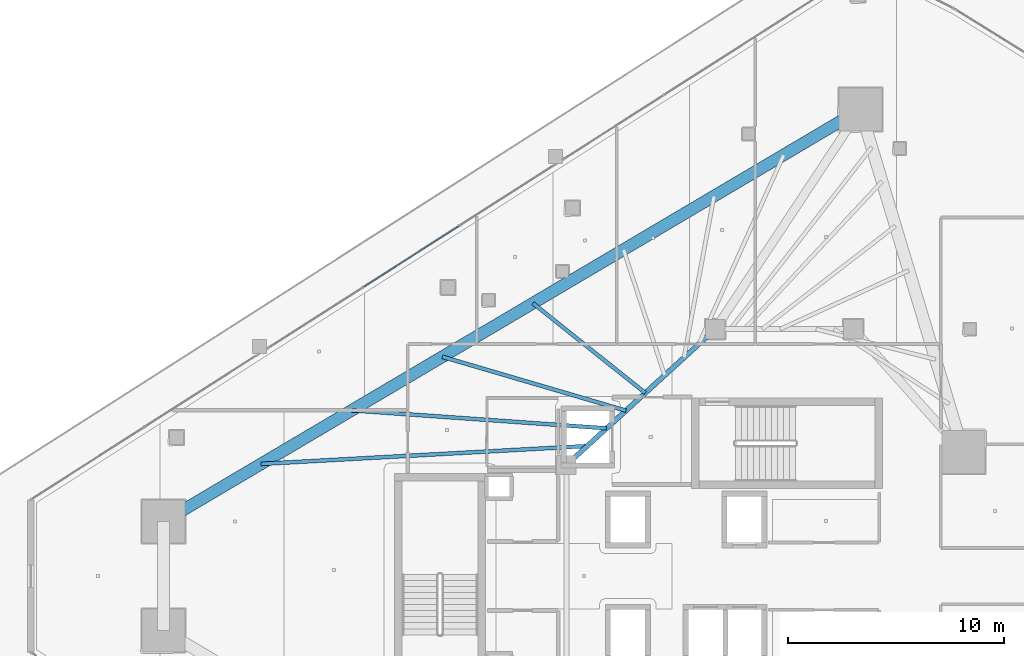
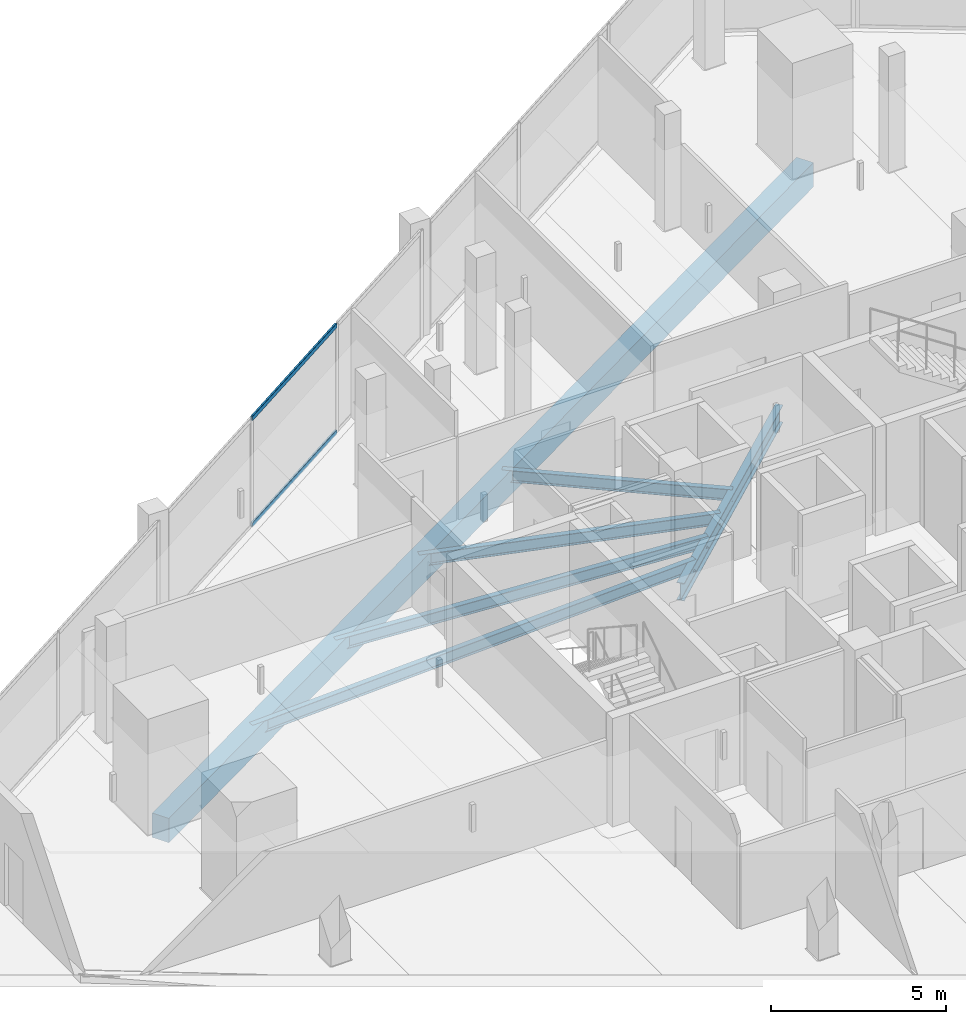
# One storey, part 16 of 37: 6 beams, 2 members, 1 element without a shape of its own.
"""IFC4 building model written with IfcOpenShell, lengths in metres."""

from ifc_helpers import new_model, si_unit, direction, frame, origin, origin_2d, place, context, subcontext, project, spatial, rectangle, hollow_rectangle, i_section, extrude, material, layer, layer_set, material_profile, profile_set, type_object, element, aggregate, save


model = new_model("IFC4")

# Units and contexts
model_context = context("Model", 3, precision=1e-05, world=origin(), true_north=direction((0.0, 1.0)))
body_context = subcontext(model_context, "Body", "Model", "MODEL_VIEW")
ifc_project = project(units=[si_unit("LENGTHUNIT", "METRE"), si_unit("AREAUNIT", "SQUARE_METRE"), si_unit("VOLUMEUNIT", "CUBIC_METRE"), si_unit("PLANEANGLEUNIT", "RADIAN"), si_unit("MASSUNIT", "GRAM", prefix="KILO")], contexts=[model_context])

# Site, building, storey
site_placement = place(None, origin())
site = spatial("IfcSite", under=ifc_project, at=site_placement, CompositionType="ELEMENT")
building_placement = place(site_placement, origin())
building = spatial("IfcBuilding", under=site, at=building_placement, Name="Qorvath Tower", CompositionType="ELEMENT")
storey_placement = place(building_placement, frame((0.0, 0.0, 188.85009765625)))
storey = spatial("IfcBuildingStorey", under=building, at=storey_placement, Name="L43", CompositionType="ELEMENT", Elevation=188.85009765625)

# Beams
ifc_material_1 = material(Name="Steel ASTM A992 Grade 50", Category="steel")
ifc_material_profile_1 = material_profile(ifc_material_1, i_section(OverallWidth=0.22998046875, OverallDepth=0.616943359375, WebThickness=0.01318359375, FlangeThickness=0.022216796875, FilletRadius=0.014892578125, at=origin_2d()), Name="W24x94")
ifc_profile_set_1 = profile_set([ifc_material_profile_1], Name="Steel ASTM A992 Grade 50")
beam_type_1 = type_object("IfcBeamType", Name="BM-FG6", PredefinedType="BEAM", material=ifc_profile_set_1)
beam_1_placement = place(storey_placement, frame((-30.5, 5.14990234375, -0.57861328125), z_axis=(0.73847813985, 0.6742774184, 0.0), x_axis=(-0.6742774184, 0.73847813985, 0.0)))
element("IfcBeam", 1, at=beam_1_placement, inside=storey, type_object=beam_type_1, Name="Core Ring Girder CC5-CC1 L43", PredefinedType="BEAM", context=body_context, shape_type="SweptSolid", body=[
    extrude(i_section(OverallWidth=0.22998046875, OverallDepth=0.616943359375, WebThickness=0.01318359375, FlangeThickness=0.022216796875, FilletRadius=0.014892578125, at=origin_2d()), origin(), (0.0, 0.0, 1.0), 9.343505859375),
])
ifc_material_2 = material(Name="Steel ASTM A992 Grade 50", Category="steel")
ifc_material_profile_2 = material_profile(ifc_material_2, i_section(OverallWidth=0.177978515625, OverallDepth=0.406005859375, WebThickness=0.0078125, FlangeThickness=0.0126953125, FilletRadius=0.010986328125, at=origin_2d()), Name="W16x40")
ifc_profile_set_2 = profile_set([ifc_material_profile_2], Name="Steel ASTM A992 Grade 50")
beam_type_2 = type_object("IfcBeamType", Name="BM-FJ3", PredefinedType="JOIST", material=ifc_profile_set_2)
beam_2_placement = place(storey_placement, frame((-29.533935546875, 6.031982421875, -0.472900390625), z_axis=(-0.998494745044, -0.054847462293, 0.0), x_axis=(0.054847462293, -0.998494745044, 0.0)))
element("IfcBeam", 2, at=beam_2_placement, inside=storey, type_object=beam_type_2, Name="Composite Floor Joist NW1 L43", PredefinedType="JOIST", context=body_context, shape_type="SweptSolid", body=[
    extrude(i_section(OverallWidth=0.177978515625, OverallDepth=0.406005859375, WebThickness=0.0078125, FlangeThickness=0.0126953125, FilletRadius=0.010986328125, at=origin_2d()), origin(), (0.0, 0.0, 1.0), 15.138671875),
])
beam_3_placement = place(storey_placement, frame((-28.636962890625, 6.85107421875, -0.472900390625), z_axis=(-0.997520476731, 0.070376832146, 0.0), x_axis=(-0.070376832146, -0.997520476731, 0.0)))
element("IfcBeam", 3, at=beam_3_placement, inside=storey, type_object=beam_type_2, Name="Composite Floor Joist NW2 L43", PredefinedType="JOIST", context=body_context, shape_type="SweptSolid", body=[
    extrude(i_section(OverallWidth=0.177978515625, OverallDepth=0.406005859375, WebThickness=0.0078125, FlangeThickness=0.0126953125, FilletRadius=0.010986328125, at=origin_2d()), origin(), (0.0, 0.0, 1.0), 11.84326171875),
])
beam_4_placement = place(storey_placement, frame((-27.739990234375, 7.669921875, -0.472900390625), z_axis=(-0.959544992264, 0.281555337049, 0.0), x_axis=(-0.281555337049, -0.959544992264, 0.0)))
element("IfcBeam", 4, at=beam_4_placement, inside=storey, type_object=beam_type_2, Name="Composite Floor Joist NW3 L43", PredefinedType="JOIST", context=body_context, shape_type="SweptSolid", body=[
    extrude(i_section(OverallWidth=0.177978515625, OverallDepth=0.406005859375, WebThickness=0.0078125, FlangeThickness=0.0126953125, FilletRadius=0.010986328125, at=origin_2d()), origin(), (0.0, 0.0, 1.0), 8.87060546875),
])
beam_5_placement = place(storey_placement, frame((-26.843017578125, 8.489013671875, -0.472900390625), z_axis=(-0.781336553339, 0.624109918537, 0.0), x_axis=(-0.624109918537, -0.781336553339, 0.0)))
element("IfcBeam", 5, at=beam_5_placement, inside=storey, type_object=beam_type_2, Name="Composite Floor Joist NW4 L43", PredefinedType="JOIST", context=body_context, shape_type="SweptSolid", body=[
    extrude(i_section(OverallWidth=0.177978515625, OverallDepth=0.406005859375, WebThickness=0.0078125, FlangeThickness=0.0126953125, FilletRadius=0.010986328125, at=origin_2d()), origin(), (0.0, 0.0, 1.0), 6.667724609375),
])
ifc_material_3 = material(Name="Concrete C50/60", Category="concrete")
ifc_material_profile_3 = material_profile(ifc_material_3, rectangle(XDim=0.550048828125, YDim=0.85009765625, at=origin_2d()), Name="RCB 850x550")
ifc_profile_set_3 = profile_set([ifc_material_profile_3], Name="Concrete C50/60")
beam_type_3 = type_object("IfcBeamType", Name="BM-RCB2", PredefinedType="SPANDREL", material=ifc_profile_set_3)
beam_6_placement = place(storey_placement, frame((-16.87158203125, 21.627197265625, -0.695068359375), z_axis=(-0.860776759786, -0.50898268125, 0.0), x_axis=(0.50898268125, -0.860776759786, 0.0)))
element("IfcBeam", 6, at=beam_6_placement, inside=storey, type_object=beam_type_3, Name="Perimeter Loggia Frame Beam MC6-MC1 L43", PredefinedType="SPANDREL", context=body_context, shape_type="SweptSolid", body=[
    extrude(rectangle(XDim=0.550048828125, YDim=0.85009765625, at=origin_2d()), origin(), (0.0, 0.0, 1.0), 37.524658203125),
])

# Curtain wall, members
ifc_material_4 = material(Name="Anodised aluminium and triple low-E glass", Category="aluminium")
ifc_layer = layer(ifc_material_4, 0.179931640625)
ifc_layer_set = layer_set([ifc_layer], Name="CW-SYS-3")
curtain_wall_type = type_object("IfcCurtainWallType", Name="CW-SYS-3", PredefinedType="NOTDEFINED", material=ifc_layer_set)
curtain_wall_placement = place(storey_placement, origin())
curtain_wall = element("IfcCurtainWall", 7, at=curtain_wall_placement, inside=storey, type_object=curtain_wall_type, Name="Curtain Wall CW-3 CW-T-L43-16.2", PredefinedType="NOTDEFINED")
ifc_material_5 = material(Name="Anodised aluminium 6063-T6", Category="aluminium")
ifc_material_profile_4 = material_profile(ifc_material_5, hollow_rectangle(XDim=0.06494140625, YDim=0.159912109375, WallThickness=0.00341796875, InnerFilletRadius=0.00341796875, OuterFilletRadius=0.007080078125, at=origin_2d()), Name="CWT 160x65")
ifc_profile_set_4 = profile_set([ifc_material_profile_4], Name="Anodised aluminium 6063-T6")
member_type = type_object("IfcMemberType", Name="CWT-160", PredefinedType="USERDEFINED", material=ifc_profile_set_4)
member_1_placement = place(storey_placement, frame((-35.48046875, 16.224609375, 0.032470703125), z_axis=(-0.842593765109, -0.538549669946, 0.0), x_axis=(0.538549669946, -0.842593765109, 0.0)))
member_1 = element("IfcMember", 8, at=member_1_placement, type_object=member_type, Name="CW-3 transom 2.1", ObjectType="TRANSOM", PredefinedType="USERDEFINED", context=body_context, shape_type="SweptSolid", body=[
    extrude(hollow_rectangle(XDim=0.06494140625, YDim=0.159912109375, WallThickness=0.00341796875, InnerFilletRadius=0.00341796875, OuterFilletRadius=0.007080078125, at=origin_2d()), origin(), (0.0, 0.0, 1.0), 5.22412109375),
])
member_2_placement = place(storey_placement, frame((-35.48046875, 16.224609375, 3.747314453125), z_axis=(-0.842593765109, -0.538549669946, 0.0), x_axis=(0.538549669946, -0.842593765109, 0.0)))
member_2 = element("IfcMember", 9, at=member_2_placement, type_object=member_type, Name="CW-3 transom 2.2", ObjectType="TRANSOM", PredefinedType="USERDEFINED", context=body_context, shape_type="SweptSolid", body=[
    extrude(hollow_rectangle(XDim=0.06494140625, YDim=0.159912109375, WallThickness=0.00341796875, InnerFilletRadius=0.00341796875, OuterFilletRadius=0.007080078125, at=origin_2d()), origin(), (0.0, 0.0, 1.0), 5.22412109375),
])
aggregate(curtain_wall, [member_1, member_2])

save(model, "model.ifc")
